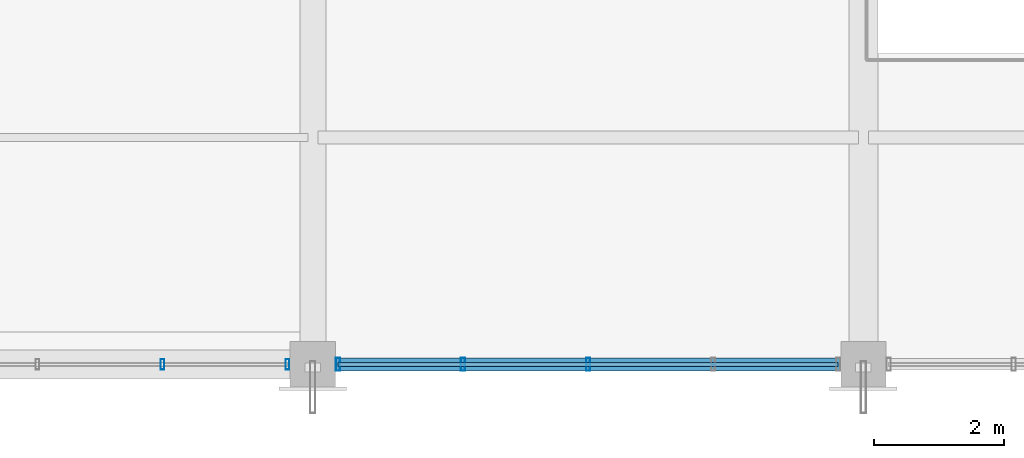
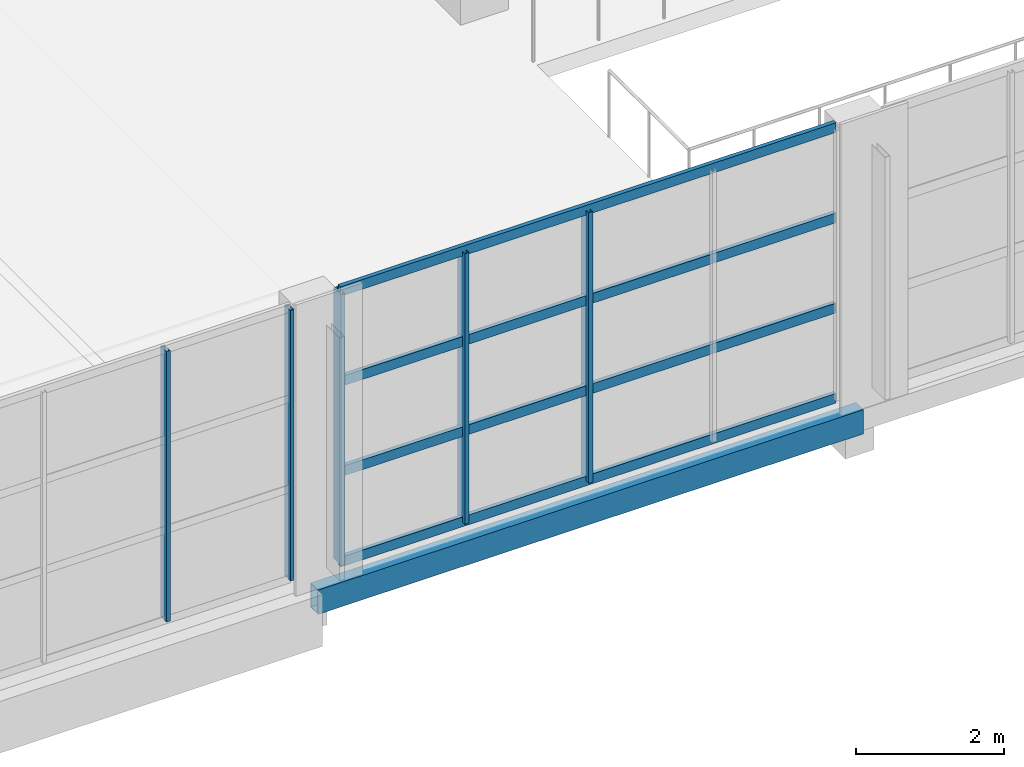
# One storey, part 13 of 112: 9 members, 1 beam, 2 elements without a shape of their own.
"""IFC4 building model written with IfcOpenShell, lengths in metres."""

from ifc_helpers import new_model, si_unit, direction, frame, origin, origin_2d, place, context, subcontext, project, spatial, hollow_rectangle, extrude, material, material_profile, profile_set, type_object, element, aggregate, save


model = new_model("IFC4")

# Units and contexts
model_context = context("Model", 3, precision=1e-05, world=origin(), true_north=direction((0.0, 1.0)))
body_context = subcontext(model_context, "Body", "Model", "MODEL_VIEW")
ifc_project = project(units=[si_unit("LENGTHUNIT", "METRE"), si_unit("AREAUNIT", "SQUARE_METRE"), si_unit("VOLUMEUNIT", "CUBIC_METRE"), si_unit("PLANEANGLEUNIT", "RADIAN"), si_unit("MASSUNIT", "GRAM", prefix="KILO")], contexts=[model_context])

# Site, building, storey
site_placement = place(None, origin())
site = spatial("IfcSite", under=ifc_project, at=site_placement, CompositionType="ELEMENT")
building_placement = place(site_placement, origin())
building = spatial("IfcBuilding", under=site, at=building_placement, Name="Solvikara Media Centre", CompositionType="ELEMENT")
storey_placement = place(building_placement, frame((0.0, 0.0, 5.39990234375)))
storey = spatial("IfcBuildingStorey", under=building, at=storey_placement, Name="L01", CompositionType="ELEMENT", Elevation=5.39990234375)

# Beam
ifc_material_1 = material(Name="Steel S355JR", Category="steel")
ifc_material_profile_1 = material_profile(ifc_material_1, hollow_rectangle(XDim=0.199951171875, YDim=0.39990234375, WallThickness=0.011962890625, at=origin_2d()), Name="RHS 400x200x12")
ifc_profile_set_1 = profile_set([ifc_material_profile_1], Name="Steel S355JR")
beam_type = type_object("IfcBeamType", Name="BM-33", PredefinedType="SPANDREL", material=ifc_profile_set_1)
beam_placement = place(storey_placement, frame((34.0, 0.0, -0.4619140625), z_axis=(1.0, 0.0, 0.0), x_axis=(0.0, 1.0, 0.0)))
element("IfcBeam", 1, at=beam_placement, inside=storey, type_object=beam_type, Name="B-L01-X0443", PredefinedType="SPANDREL", context=body_context, shape_type="SweptSolid", body=[
    extrude(hollow_rectangle(XDim=0.199951171875, YDim=0.39990234375, WallThickness=0.011962890625, at=origin_2d()), origin(), (0.0, 0.0, 1.0), 8.5),
])

# Curtain wall, members
ifc_material_2 = material(Name="Anodised aluminium EN AW-6063", Category="aluminium")
curtain_wall_type_1 = type_object("IfcCurtainWallType", Name="CW-04", PredefinedType="NOTDEFINED", material=ifc_material_2)
curtain_wall_1_placement = place(storey_placement, origin())
curtain_wall_1 = element("IfcCurtainWall", 2, at=curtain_wall_1_placement, inside=storey, type_object=curtain_wall_type_1, Name="CW-L01-V6S-1", PredefinedType="NOTDEFINED")
ifc_material_profile_2 = material_profile(ifc_material_2, hollow_rectangle(XDim=0.06494140625, YDim=0.199951171875, WallThickness=0.00390625, at=origin_2d()), Name="ALU-M 65x200x4")
ifc_profile_set_2 = profile_set([ifc_material_profile_2], Name="Anodised aluminium EN AW-6063")
member_type_1 = type_object("IfcMemberType", Name="MF-02", PredefinedType="MULLION", material=ifc_profile_set_2)
member_1_placement = place(storey_placement, frame((34.389892578125, 0.0, 0.02001953125), z_axis=(0.0, 0.0, 1.0), x_axis=(1.0, 0.0, 0.0)))
member_1 = element("IfcMember", 3, at=member_1_placement, type_object=member_type_1, Name="CW-L01-V6S-1-M00", PredefinedType="MULLION", context=body_context, shape_type="SweptSolid", body=[
    extrude(hollow_rectangle(XDim=0.06494140625, YDim=0.199951171875, WallThickness=0.00390625, at=origin_2d()), origin(), (0.0, 0.0, 1.0), 4.4599609375),
])
member_2_placement = place(storey_placement, frame((36.320068359375, 0.0, 0.02001953125), z_axis=(0.0, 0.0, 1.0), x_axis=(1.0, 0.0, 0.0)))
member_2 = element("IfcMember", 4, at=member_2_placement, type_object=member_type_1, Name="CW-L01-V6S-1-M01", PredefinedType="MULLION", context=body_context, shape_type="SweptSolid", body=[
    extrude(hollow_rectangle(XDim=0.06494140625, YDim=0.199951171875, WallThickness=0.00390625, at=origin_2d()), origin(), (0.0, 0.0, 1.0), 4.4599609375),
])
member_3_placement = place(storey_placement, frame((38.25, 0.0, 0.02001953125), z_axis=(0.0, 0.0, 1.0), x_axis=(1.0, 0.0, 0.0)))
member_3 = element("IfcMember", 5, at=member_3_placement, type_object=member_type_1, Name="CW-L01-V6S-1-M02", PredefinedType="MULLION", context=body_context, shape_type="SweptSolid", body=[
    extrude(hollow_rectangle(XDim=0.06494140625, YDim=0.199951171875, WallThickness=0.00390625, at=origin_2d()), origin(), (0.0, 0.0, 1.0), 4.4599609375),
])

curtain_wall_type_2 = type_object("IfcCurtainWallType", Name="CW-07", PredefinedType="NOTDEFINED", material=ifc_material_2)
curtain_wall_2_placement = place(storey_placement, origin())
curtain_wall_2 = element("IfcCurtainWall", 6, at=curtain_wall_2_placement, inside=storey, type_object=curtain_wall_type_2, Name="CW-L01-V1SE", PredefinedType="NOTDEFINED")
ifc_material_profile_3 = material_profile(ifc_material_2, hollow_rectangle(XDim=0.06005859375, YDim=0.159912109375, WallThickness=0.00341796875, at=origin_2d()), Name="ALU-M 60x160x3.5")
ifc_profile_set_3 = profile_set([ifc_material_profile_3], Name="Anodised aluminium EN AW-6063")
member_type_2 = type_object("IfcMemberType", Name="MF-04", PredefinedType="MULLION", material=ifc_profile_set_3)
member_4_placement = place(storey_placement, frame((31.679931640625, 0.0, 0.02001953125), z_axis=(0.0, 0.0, 1.0), x_axis=(1.0, 0.0, 0.0)))
member_4 = element("IfcMember", 7, at=member_4_placement, type_object=member_type_2, Name="CW-L01-V1SE-M03", PredefinedType="MULLION", context=body_context, shape_type="SweptSolid", body=[
    extrude(hollow_rectangle(XDim=0.06005859375, YDim=0.159912109375, WallThickness=0.00341796875, at=origin_2d()), origin(), (0.0, 0.0, 1.0), 4.4599609375),
])
member_5_placement = place(storey_placement, frame((33.610107421875, 0.0, 0.02001953125), z_axis=(0.0, 0.0, 1.0), x_axis=(1.0, 0.0, 0.0)))
member_5 = element("IfcMember", 8, at=member_5_placement, type_object=member_type_2, Name="CW-L01-V1SE-M04", PredefinedType="MULLION", context=body_context, shape_type="SweptSolid", body=[
    extrude(hollow_rectangle(XDim=0.06005859375, YDim=0.159912109375, WallThickness=0.00341796875, at=origin_2d()), origin(), (0.0, 0.0, 1.0), 4.4599609375),
])
aggregate(curtain_wall_2, [member_4, member_5])

# Member
ifc_material_profile_4 = material_profile(ifc_material_2, hollow_rectangle(XDim=0.06494140625, YDim=0.159912109375, WallThickness=0.00341796875, at=origin_2d()), Name="ALU-T 65x160x3.5")
ifc_profile_set_4 = profile_set([ifc_material_profile_4], Name="Anodised aluminium EN AW-6063")
member_type_3 = type_object("IfcMemberType", Name="MF-08", PredefinedType="USERDEFINED", material=ifc_profile_set_4)
member_6_placement = place(storey_placement, frame((34.389892578125, 0.0, 0.02001953125), z_axis=(1.0, 0.0, 0.0), x_axis=(0.0, 1.0, 0.0)))
member_6 = element("IfcMember", 9, at=member_6_placement, type_object=member_type_3, Name="CW-L01-V6S-1-T00", ObjectType="TRANSOM", PredefinedType="USERDEFINED", context=body_context, shape_type="SweptSolid", body=[
    extrude(hollow_rectangle(XDim=0.06494140625, YDim=0.159912109375, WallThickness=0.00341796875, at=origin_2d()), origin(), (0.0, 0.0, 1.0), 7.72021484375),
])

member_7_placement = place(storey_placement, frame((34.389892578125, 0.0, 1.507080078125), z_axis=(1.0, 0.0, 0.0), x_axis=(0.0, 1.0, 0.0)))
member_7 = element("IfcMember", 10, at=member_7_placement, type_object=member_type_3, Name="CW-L01-V6S-1-T01", ObjectType="TRANSOM", PredefinedType="USERDEFINED", context=body_context, shape_type="SweptSolid", body=[
    extrude(hollow_rectangle(XDim=0.06494140625, YDim=0.159912109375, WallThickness=0.00341796875, at=origin_2d()), origin(), (0.0, 0.0, 1.0), 7.72021484375),
])

member_8_placement = place(storey_placement, frame((34.389892578125, 0.0, 2.9931640625), z_axis=(1.0, 0.0, 0.0), x_axis=(0.0, 1.0, 0.0)))
member_8 = element("IfcMember", 11, at=member_8_placement, type_object=member_type_3, Name="CW-L01-V6S-1-T02", ObjectType="TRANSOM", PredefinedType="USERDEFINED", context=body_context, shape_type="SweptSolid", body=[
    extrude(hollow_rectangle(XDim=0.06494140625, YDim=0.159912109375, WallThickness=0.00341796875, at=origin_2d()), origin(), (0.0, 0.0, 1.0), 7.72021484375),
])

member_9_placement = place(storey_placement, frame((34.389892578125, 0.0, 4.47998046875), z_axis=(1.0, 0.0, 0.0), x_axis=(0.0, 1.0, 0.0)))
member_9 = element("IfcMember", 12, at=member_9_placement, type_object=member_type_3, Name="CW-L01-V6S-1-T03", ObjectType="TRANSOM", PredefinedType="USERDEFINED", context=body_context, shape_type="SweptSolid", body=[
    extrude(hollow_rectangle(XDim=0.06494140625, YDim=0.159912109375, WallThickness=0.00341796875, at=origin_2d()), origin(), (0.0, 0.0, 1.0), 7.72021484375),
])

aggregate(curtain_wall_1, [member_1, member_2, member_3, member_6, member_7, member_8, member_9])

save(model, "model.ifc")
